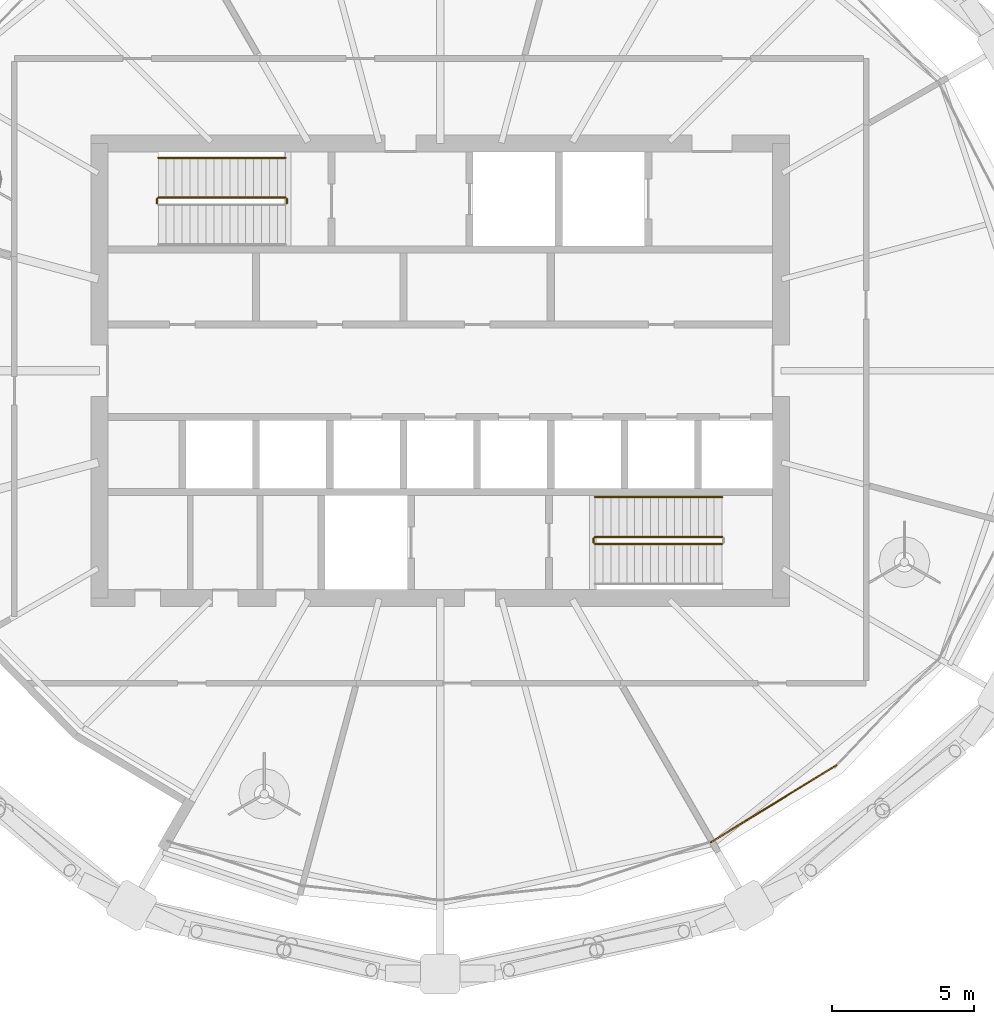
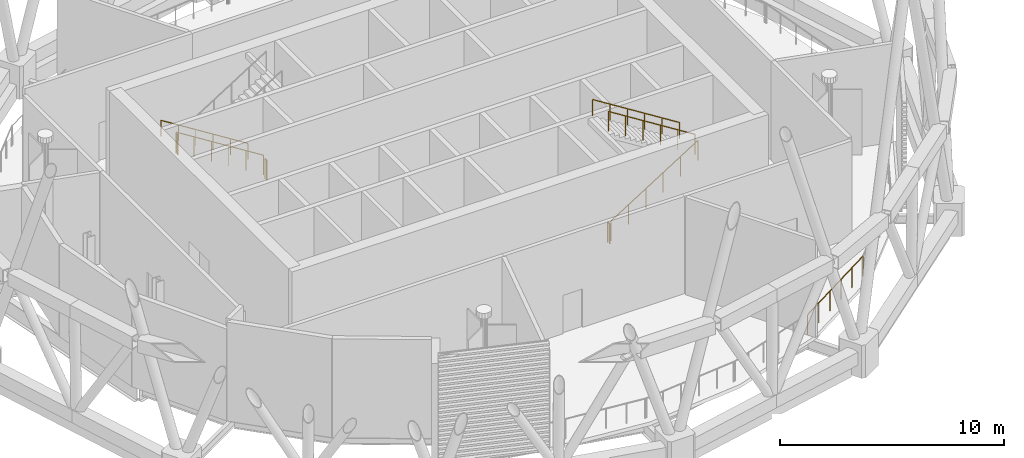
# One storey, part 16 of 22: 9 railings.
"""IFC4 building model written with IfcOpenShell, lengths in metres."""

from ifc_helpers import new_model, si_unit, direction, frame, origin, origin_2d, place, context, subcontext, project, spatial, circle, extrude, material, type_object, element, save


model = new_model("IFC4")

# Units and contexts
model_context = context("Model", 3, precision=1e-05, world=origin(), true_north=direction((0.0, 1.0)))
body_context = subcontext(model_context, "Body", "Model", "MODEL_VIEW")
ifc_project = project(units=[si_unit("LENGTHUNIT", "METRE"), si_unit("AREAUNIT", "SQUARE_METRE"), si_unit("VOLUMEUNIT", "CUBIC_METRE"), si_unit("PLANEANGLEUNIT", "RADIAN"), si_unit("MASSUNIT", "GRAM", prefix="KILO")], contexts=[model_context])

# Site, building, storey
site_placement = place(None, origin())
site = spatial("IfcSite", under=ifc_project, at=site_placement, CompositionType="ELEMENT")
building_placement = place(site_placement, origin())
building = spatial("IfcBuilding", under=site, at=building_placement, Name="Rimbun Link Towers", CompositionType="ELEMENT")
storey_placement = place(building_placement, frame((0.0, 0.0, 204.5)))
storey = spatial("IfcBuildingStorey", under=building, at=storey_placement, Name="L50", CompositionType="ELEMENT", Elevation=204.5)

# Railings
ifc_material_1 = material(Name="Stainless steel grade 316", Category="steel")
railing_type_1 = type_object("IfcRailingType", Name="GUARD stainless rail and posts", PredefinedType="GUARDRAIL", material=ifc_material_1)
railing_1_placement = place(storey_placement, frame((-17.796142578125, -13.89013671875, 0.0)))
element("IfcRailing", 1, at=railing_1_placement, inside=storey, type_object=railing_type_1, Name="GUARD open storey edge", PredefinedType="GUARDRAIL", context=body_context, shape_type="SweptSolid", body=[
    extrude(circle(Radius=0.02392578125, at=origin_2d()), frame((0.0, 0.0, 1.076171875), z_axis=(-0.852178220995, -0.523251640859, 0.0), x_axis=(0.523251640859, -0.852178220995, 0.0)), (0.0, 0.0, 1.0), 5.1875),
    extrude(circle(Radius=0.02099609375, at=origin_2d()), origin(), (0.0, 0.0, 1.0), 1.052001953125),
    extrude(circle(Radius=0.02099609375, at=origin_2d()), frame((-0.884033203125, -0.54296875, 0.0)), (0.0, 0.0, 1.0), 1.052001953125),
    extrude(circle(Radius=0.02099609375, at=origin_2d()), frame((-1.768310546875, -1.085693359375, 0.0)), (0.0, 0.0, 1.0), 1.052001953125),
    extrude(circle(Radius=0.02099609375, at=origin_2d()), frame((-2.65234375, -1.628662109375, 0.0)), (0.0, 0.0, 1.0), 1.052001953125),
    extrude(circle(Radius=0.02099609375, at=origin_2d()), frame((-3.53662109375, -2.17138671875, 0.0)), (0.0, 0.0, 1.0), 1.052001953125),
    extrude(circle(Radius=0.02099609375, at=origin_2d()), frame((-4.420654296875, -2.71435546875, 0.0)), (0.0, 0.0, 1.0), 1.052001953125),
])
ifc_material_2 = material(Name="Stainless steel grade 316", Category="steel")
railing_type_2 = type_object("IfcRailingType", Name="Stair guard", PredefinedType="GUARDRAIL", material=ifc_material_2)
railing_2_placement = place(storey_placement, frame((-37.199951171875, 6.10009765625, 0.176513671875)))
element("IfcRailing", 2, at=railing_2_placement, inside=storey, type_object=railing_type_2, Name="L50 ST1 stair guard 1", PredefinedType="GUARDRAIL", context=body_context, shape_type="SweptSolid", body=[
    extrude(circle(Radius=0.02392578125, at=origin_2d()), frame((0.0, 0.0, 1.076171875), z_axis=(-0.845997938375, 0.0, 0.533186166611), x_axis=(0.0, -1.0, 0.0)), (0.0, 0.0, 1.0), 5.29541015625),
    extrude(circle(Radius=0.02099609375, at=origin_2d()), origin(), (0.0, 0.0, 1.0), 1.052001953125),
    extrude(circle(Radius=0.02099609375, at=origin_2d()), frame((-0.89599609375, 0.0, 0.564697265625)), (0.0, 0.0, 1.0), 1.052001953125),
    extrude(circle(Radius=0.02099609375, at=origin_2d()), frame((-1.7919921875, 0.0, 1.12939453125)), (0.0, 0.0, 1.0), 1.052001953125),
    extrude(circle(Radius=0.02099609375, at=origin_2d()), frame((-2.68798828125, 0.0, 1.694091796875)), (0.0, 0.0, 1.0), 1.052001953125),
    extrude(circle(Radius=0.02099609375, at=origin_2d()), frame((-3.583984375, 0.0, 2.2587890625)), (0.0, 0.0, 1.0), 1.052001953125),
    extrude(circle(Radius=0.02099609375, at=origin_2d()), frame((-4.47998046875, 0.0, 2.823486328125)), (0.0, 0.0, 1.0), 1.052001953125),
])
for number, where, name in (
    (3, (-41.72998046875, 6.050048828125, 3.0), "L50 ST1 stair guard 2"),
    (4, (-37.14990234375, 6.050048828125, 0.0), "L50 ST1 stair guard 4"),
):
    element("IfcRailing", number, at=place(storey_placement, frame(where)), inside=storey, type_object=railing_type_2, Name=name, PredefinedType="GUARDRAIL", context=body_context, shape_type="SweptSolid", body=[
        extrude(circle(Radius=0.02392578125, at=origin_2d()), frame((0.0, 0.0, 1.076171875), z_axis=(0.0, -1.0, 0.0), x_axis=(1.0, 0.0, 0.0)), (0.0, 0.0, 1.0), 0.150146484375),
        extrude(circle(Radius=0.02099609375, at=origin_2d()), origin(), (0.0, 0.0, 1.0), 1.052001953125),
        extrude(circle(Radius=0.02099609375, at=origin_2d()), frame((0.0, -0.150146484375, 0.0)), (0.0, 0.0, 1.0), 1.052001953125),
    ])
railing_3_placement = place(storey_placement, frame((-26.300048828125, -6.10009765625, 0.176513671875)))
element("IfcRailing", 5, at=railing_3_placement, inside=storey, type_object=railing_type_2, Name="L50 ST2 stair guard 1", PredefinedType="GUARDRAIL", context=body_context, shape_type="SweptSolid", body=[
    extrude(circle(Radius=0.02392578125, at=origin_2d()), frame((0.0, 0.0, 1.076171875), z_axis=(0.845997938375, 0.0, 0.533186166611), x_axis=(0.0, 1.0, 0.0)), (0.0, 0.0, 1.0), 5.29541015625),
    extrude(circle(Radius=0.02099609375, at=origin_2d()), origin(), (0.0, 0.0, 1.0), 1.052001953125),
    extrude(circle(Radius=0.02099609375, at=origin_2d()), frame((0.89599609375, 0.0, 0.564697265625)), (0.0, 0.0, 1.0), 1.052001953125),
    extrude(circle(Radius=0.02099609375, at=origin_2d()), frame((1.7919921875, 0.0, 1.12939453125)), (0.0, 0.0, 1.0), 1.052001953125),
    extrude(circle(Radius=0.02099609375, at=origin_2d()), frame((2.68798828125, 0.0, 1.694091796875)), (0.0, 0.0, 1.0), 1.052001953125),
    extrude(circle(Radius=0.02099609375, at=origin_2d()), frame((3.583984375, 0.0, 2.2587890625)), (0.0, 0.0, 1.0), 1.052001953125),
    extrude(circle(Radius=0.02099609375, at=origin_2d()), frame((4.47998046875, 0.0, 2.823486328125)), (0.0, 0.0, 1.0), 1.052001953125),
])
railing_4_placement = place(storey_placement, frame((-21.820068359375, -5.85009765625, 3.176513671875)))
element("IfcRailing", 6, at=railing_4_placement, inside=storey, type_object=railing_type_2, Name="L50 ST2 stair guard 3", PredefinedType="GUARDRAIL", context=body_context, shape_type="SweptSolid", body=[
    extrude(circle(Radius=0.02392578125, at=origin_2d()), frame((0.0, 0.0, 1.076171875), z_axis=(-0.845997938375, 0.0, 0.533186166611), x_axis=(0.0, -1.0, 0.0)), (0.0, 0.0, 1.0), 5.29541015625),
    extrude(circle(Radius=0.02099609375, at=origin_2d()), origin(), (0.0, 0.0, 1.0), 1.052001953125),
    extrude(circle(Radius=0.02099609375, at=origin_2d()), frame((-0.89599609375, 0.0, 0.564697265625)), (0.0, 0.0, 1.0), 1.052001953125),
    extrude(circle(Radius=0.02099609375, at=origin_2d()), frame((-1.7919921875, 0.0, 1.12939453125)), (0.0, 0.0, 1.0), 1.052001953125),
    extrude(circle(Radius=0.02099609375, at=origin_2d()), frame((-2.68798828125, 0.0, 1.694091796875)), (0.0, 0.0, 1.0), 1.052001953125),
    extrude(circle(Radius=0.02099609375, at=origin_2d()), frame((-3.583984375, 0.0, 2.2587890625)), (0.0, 0.0, 1.0), 1.052001953125),
    extrude(circle(Radius=0.02099609375, at=origin_2d()), frame((-4.47998046875, 0.0, 2.823486328125)), (0.0, 0.0, 1.0), 1.052001953125),
])
railing_5_placement = place(storey_placement, frame((-26.35009765625, -6.050048828125, 0.0)))
element("IfcRailing", 7, at=railing_5_placement, inside=storey, type_object=railing_type_2, Name="L50 ST2 stair guard 4", PredefinedType="GUARDRAIL", context=body_context, shape_type="SweptSolid", body=[
    extrude(circle(Radius=0.02392578125, at=origin_2d()), frame((0.0, 0.0, 1.076171875), z_axis=(0.0, 1.0, 0.0), x_axis=(-1.0, 0.0, 0.0)), (0.0, 0.0, 1.0), 0.150146484375),
    extrude(circle(Radius=0.02099609375, at=origin_2d()), origin(), (0.0, 0.0, 1.0), 1.052001953125),
    extrude(circle(Radius=0.02099609375, at=origin_2d()), frame((0.0, 0.150146484375, 0.0)), (0.0, 0.0, 1.0), 1.052001953125),
])
ifc_material_3 = material(Name="Stainless steel grade 316", Category="steel")
railing_type_3 = type_object("IfcRailingType", Name="Stair handrail", PredefinedType="HANDRAIL", material=ifc_material_3)
for number, where, name in (
    (8, (-37.199951171875, 7.5, 0.176513671875), "L50 ST1 stair handrail 1"),
    (9, (-21.820068359375, -4.449951171875, 3.176513671875), "L50 ST2 stair handrail 2"),
):
    element("IfcRailing", number, at=place(storey_placement, frame(where)), inside=storey, type_object=railing_type_3, Name=name, PredefinedType="HANDRAIL", context=body_context, shape_type="SweptSolid", body=[
        extrude(circle(Radius=0.02392578125, at=origin_2d()), frame((0.0, 0.0, 0.8759765625), z_axis=(-0.845997938375, 0.0, 0.533186166611), x_axis=(0.0, -1.0, 0.0)), (0.0, 0.0, 1.0), 5.29541015625),
        extrude(circle(Radius=0.02099609375, at=origin_2d()), origin(), (0.0, 0.0, 1.0), 0.851806640625),
        extrude(circle(Radius=0.02099609375, at=origin_2d()), frame((-0.89599609375, 0.0, 0.564697265625)), (0.0, 0.0, 1.0), 0.851806640625),
        extrude(circle(Radius=0.02099609375, at=origin_2d()), frame((-1.7919921875, 0.0, 1.12939453125)), (0.0, 0.0, 1.0), 0.851806640625),
        extrude(circle(Radius=0.02099609375, at=origin_2d()), frame((-2.68798828125, 0.0, 1.694091796875)), (0.0, 0.0, 1.0), 0.851806640625),
        extrude(circle(Radius=0.02099609375, at=origin_2d()), frame((-3.583984375, 0.0, 2.2587890625)), (0.0, 0.0, 1.0), 0.851806640625),
        extrude(circle(Radius=0.02099609375, at=origin_2d()), frame((-4.47998046875, 0.0, 2.823486328125)), (0.0, 0.0, 1.0), 0.851806640625),
    ])

save(model, "model.ifc")
